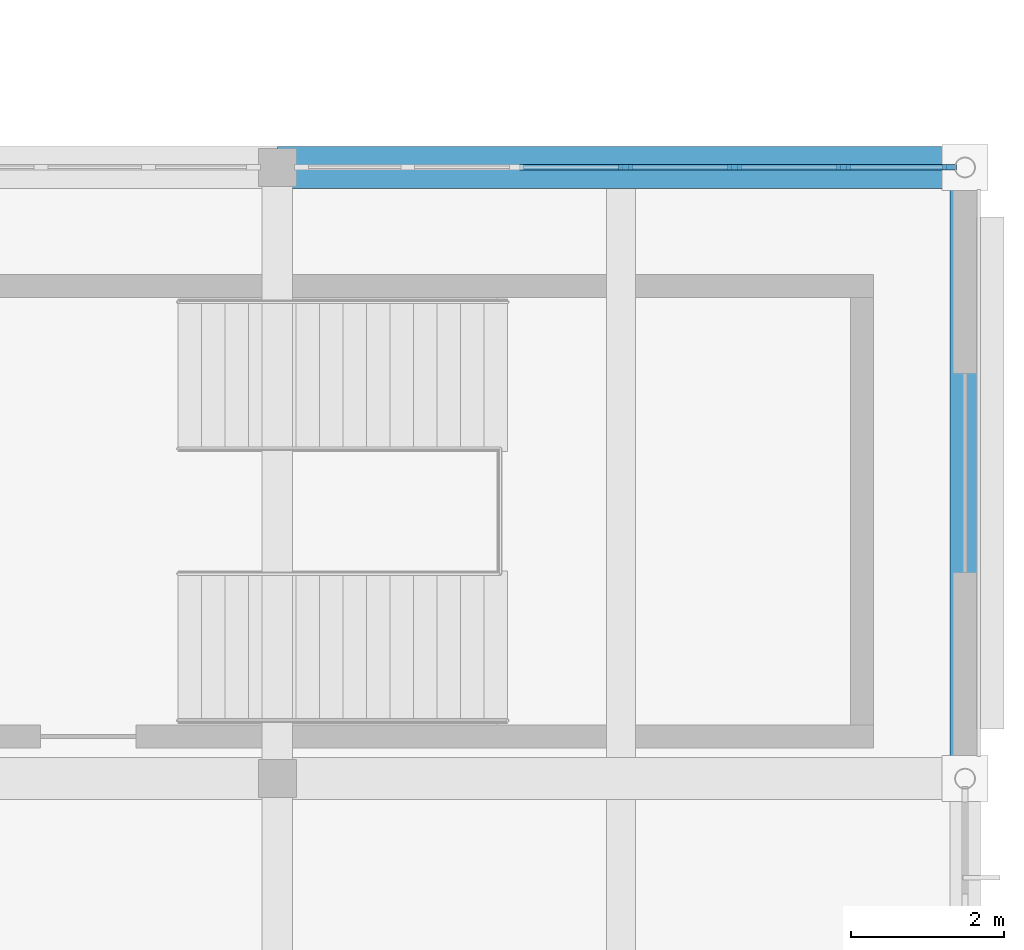
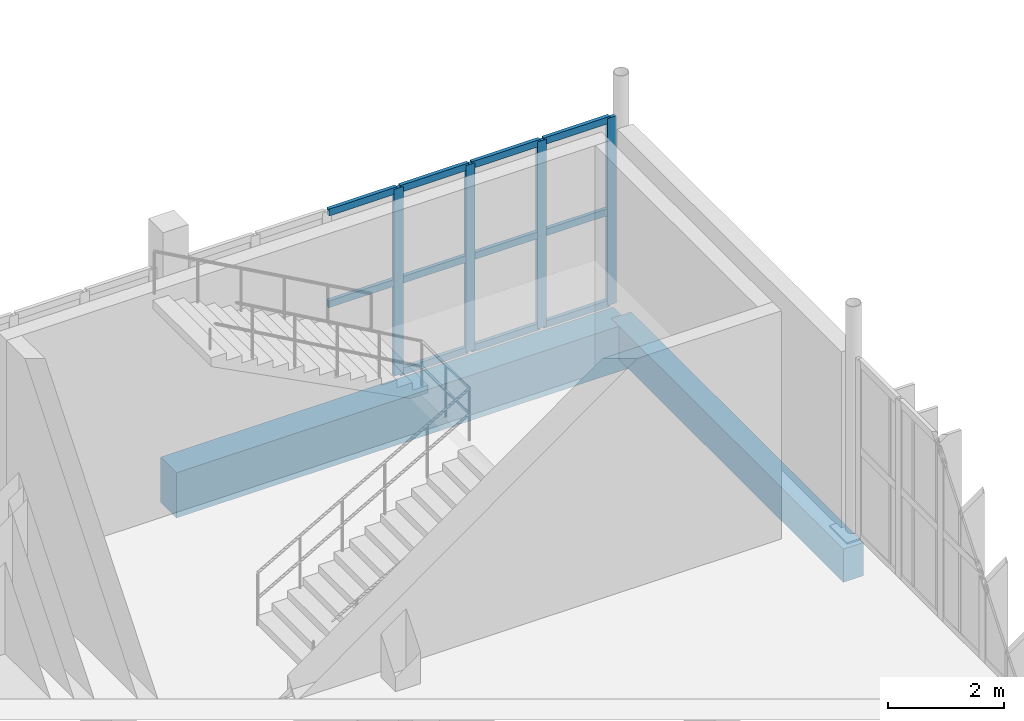
# One storey, part 32 of 72: 15 members, 2 beams, 1 element without a shape of its own.
"""IFC4 building model written with IfcOpenShell, lengths in metres."""

from ifc_helpers import new_model, si_unit, direction, frame, origin, origin_2d, place, context, subcontext, project, spatial, rectangle, extrude, material, material_profile, profile_set, type_object, element, aggregate, save


model = new_model("IFC4")

# Units and contexts
model_context = context("Model", 3, precision=1e-05, world=origin(), true_north=direction((0.0, 1.0)))
body_context = subcontext(model_context, "Body", "Model", "MODEL_VIEW")
ifc_project = project(units=[si_unit("LENGTHUNIT", "METRE"), si_unit("AREAUNIT", "SQUARE_METRE"), si_unit("VOLUMEUNIT", "CUBIC_METRE"), si_unit("PLANEANGLEUNIT", "RADIAN"), si_unit("MASSUNIT", "GRAM", prefix="KILO")], contexts=[model_context])

# Site, building, storey
site_placement = place(None, origin())
site = spatial("IfcSite", under=ifc_project, at=site_placement, CompositionType="ELEMENT")
building_placement = place(site_placement, origin())
building = spatial("IfcBuilding", under=site, at=building_placement, Name="Vourika Railside Aquatics Centre", CompositionType="ELEMENT")
storey_placement = place(building_placement, origin())
storey = spatial("IfcBuildingStorey", under=building, at=storey_placement, Name="L00", CompositionType="ELEMENT", Elevation=0.0)

# Beams
ifc_material_1 = material(Name="Concrete C35/45", Category="concrete")
ifc_material_profile_1 = material_profile(ifc_material_1, rectangle(XDim=0.39990234375, YDim=0.699951171875, at=origin_2d()), Name="RC 400x700")
ifc_profile_set_1 = profile_set([ifc_material_profile_1], Name="Concrete C35/45")
beam_type_1 = type_object("IfcBeamType", Name="BM-GIRD-400x700", PredefinedType="BEAM", material=ifc_profile_set_1)
beam_1_placement = place(storey_placement, frame((168.0, 84.0, -0.669921875), z_axis=(0.0, 1.0, 0.0), x_axis=(-1.0, 0.0, 0.0)))
element("IfcBeam", 1, at=beam_1_placement, inside=storey, type_object=beam_type_1, Name="Floor Girder GY-L00-349", PredefinedType="BEAM", context=body_context, shape_type="SweptSolid", body=[
    extrude(rectangle(XDim=0.39990234375, YDim=0.699951171875, at=origin_2d()), origin(), (0.0, 0.0, 1.0), 8.0),
])
ifc_material_2 = material(Name="Concrete C40/50", Category="concrete")
ifc_material_profile_2 = material_profile(ifc_material_2, rectangle(XDim=0.550048828125, YDim=0.949951171875, at=origin_2d()), Name="RC 550x950")
ifc_profile_set_2 = profile_set([ifc_material_profile_2], Name="Concrete C40/50")
beam_type_2 = type_object("IfcBeamType", Name="BM-GIRD-550x950", PredefinedType="BEAM", material=ifc_profile_set_2)
beam_2_placement = place(storey_placement, frame((159.0, 92.0, -0.794921875), z_axis=(1.0, 0.0, 0.0), x_axis=(0.0, 1.0, 0.0)))
element("IfcBeam", 2, at=beam_2_placement, inside=storey, type_object=beam_type_2, Name="Floor Beam GX-L00-142", PredefinedType="BEAM", context=body_context, shape_type="SweptSolid", body=[
    extrude(rectangle(XDim=0.550048828125, YDim=0.949951171875, at=origin_2d()), origin(), (0.0, 0.0, 1.0), 9.0),
])

# Curtain wall, members
ifc_material_3 = material(Name="Anodized thermally broken aluminium", Category="aluminium")
curtain_wall_type = type_object("IfcCurtainWallType", Name="CW-FOYS", PredefinedType="NOTDEFINED", material=ifc_material_3)
curtain_wall_placement = place(storey_placement, origin())
curtain_wall = element("IfcCurtainWall", 3, at=curtain_wall_placement, inside=storey, type_object=curtain_wall_type, Name="Foyer North Glazed Facade L00-3", PredefinedType="NOTDEFINED")
ifc_material_4 = material(Name="Anodized aluminium mullion", Category="aluminium")
ifc_material_profile_3 = material_profile(ifc_material_4, rectangle(XDim=0.072021484375, YDim=0.181884765625, at=origin_2d()), Name="ALU-M 72x182")
ifc_profile_set_3 = profile_set([ifc_material_profile_3], Name="Anodized aluminium mullion")
member_type_1 = type_object("IfcMemberType", Name="CWM-FOYS", PredefinedType="MULLION", material=ifc_profile_set_3)
member_1_placement = place(storey_placement, frame((167.797607421875, 92.0, 0.0), z_axis=(0.0, 0.0, 1.0), x_axis=(0.0, -1.0, 0.0)))
member_1 = element("IfcMember", 4, at=member_1_placement, type_object=member_type_1, Name="CW11 mullion 1", PredefinedType="MULLION", context=body_context, shape_type="SweptSolid", body=[
    extrude(rectangle(XDim=0.072021484375, YDim=0.181884765625, at=origin_2d()), origin(), (0.0, 0.0, 1.0), 3.929931640625),
])
member_2_placement = place(storey_placement, frame((166.407958984375, 92.0, 0.0), z_axis=(0.0, 0.0, 1.0), x_axis=(0.0, -1.0, 0.0)))
member_2 = element("IfcMember", 5, at=member_2_placement, type_object=member_type_1, Name="CW11 mullion 2", PredefinedType="MULLION", context=body_context, shape_type="SweptSolid", body=[
    extrude(rectangle(XDim=0.072021484375, YDim=0.181884765625, at=origin_2d()), origin(), (0.0, 0.0, 1.0), 3.929931640625),
])
member_3_placement = place(storey_placement, frame((164.982421875, 92.0, 0.0), z_axis=(0.0, 0.0, 1.0), x_axis=(0.0, -1.0, 0.0)))
member_3 = element("IfcMember", 6, at=member_3_placement, type_object=member_type_1, Name="CW11 mullion 3", PredefinedType="MULLION", context=body_context, shape_type="SweptSolid", body=[
    extrude(rectangle(XDim=0.072021484375, YDim=0.181884765625, at=origin_2d()), origin(), (0.0, 0.0, 1.0), 3.929931640625),
])
member_4_placement = place(storey_placement, frame((163.556640625, 92.0, 0.0), z_axis=(0.0, 0.0, 1.0), x_axis=(0.0, -1.0, 0.0)))
member_4 = element("IfcMember", 7, at=member_4_placement, type_object=member_type_1, Name="CW11 mullion 4", PredefinedType="MULLION", context=body_context, shape_type="SweptSolid", body=[
    extrude(rectangle(XDim=0.072021484375, YDim=0.181884765625, at=origin_2d()), origin(), (0.0, 0.0, 1.0), 3.929931640625),
])
ifc_material_5 = material(Name="Anodized aluminium transom", Category="aluminium")
ifc_material_profile_4 = material_profile(ifc_material_5, rectangle(XDim=0.072021484375, YDim=0.14404296875, at=origin_2d()), Name="ALU-T 72x144")
ifc_profile_set_4 = profile_set([ifc_material_profile_4], Name="Anodized aluminium transom")
member_type_2 = type_object("IfcMemberType", Name="CWT-FOYS", PredefinedType="USERDEFINED", material=ifc_profile_set_4)
member_5_placement = place(storey_placement, frame((167.761474609375, 92.0, 0.035888671875), z_axis=(-1.0, 0.0, 0.0), x_axis=(0.0, -1.0, 0.0)))
member_5 = element("IfcMember", 8, at=member_5_placement, type_object=member_type_2, Name="CW11 transom 1.1", ObjectType="TRANSOM", PredefinedType="USERDEFINED", context=body_context, shape_type="SweptSolid", body=[
    extrude(rectangle(XDim=0.072021484375, YDim=0.14404296875, at=origin_2d()), origin(), (0.0, 0.0, 1.0), 1.317626953125),
])
member_6_placement = place(storey_placement, frame((167.761474609375, 92.0, 1.965087890625), z_axis=(-1.0, 0.0, 0.0), x_axis=(0.0, -1.0, 0.0)))
member_6 = element("IfcMember", 9, at=member_6_placement, type_object=member_type_2, Name="CW11 transom 1.2", ObjectType="TRANSOM", PredefinedType="USERDEFINED", context=body_context, shape_type="SweptSolid", body=[
    extrude(rectangle(XDim=0.072021484375, YDim=0.14404296875, at=origin_2d()), origin(), (0.0, 0.0, 1.0), 1.317626953125),
])
member_7_placement = place(storey_placement, frame((167.761474609375, 92.0, 3.89404296875), z_axis=(-1.0, 0.0, 0.0), x_axis=(0.0, -1.0, 0.0)))
member_7 = element("IfcMember", 10, at=member_7_placement, type_object=member_type_2, Name="CW11 transom 1.3", ObjectType="TRANSOM", PredefinedType="USERDEFINED", context=body_context, shape_type="SweptSolid", body=[
    extrude(rectangle(XDim=0.072021484375, YDim=0.14404296875, at=origin_2d()), origin(), (0.0, 0.0, 1.0), 1.317626953125),
])
member_8_placement = place(storey_placement, frame((166.371826171875, 92.0, 0.035888671875), z_axis=(-1.0, 0.0, 0.0), x_axis=(0.0, -1.0, 0.0)))
member_8 = element("IfcMember", 11, at=member_8_placement, type_object=member_type_2, Name="CW11 transom 2.1", ObjectType="TRANSOM", PredefinedType="USERDEFINED", context=body_context, shape_type="SweptSolid", body=[
    extrude(rectangle(XDim=0.072021484375, YDim=0.14404296875, at=origin_2d()), origin(), (0.0, 0.0, 1.0), 1.353515625),
])
member_9_placement = place(storey_placement, frame((166.371826171875, 92.0, 1.965087890625), z_axis=(-1.0, 0.0, 0.0), x_axis=(0.0, -1.0, 0.0)))
member_9 = element("IfcMember", 12, at=member_9_placement, type_object=member_type_2, Name="CW11 transom 2.2", ObjectType="TRANSOM", PredefinedType="USERDEFINED", context=body_context, shape_type="SweptSolid", body=[
    extrude(rectangle(XDim=0.072021484375, YDim=0.14404296875, at=origin_2d()), origin(), (0.0, 0.0, 1.0), 1.353515625),
])
member_10_placement = place(storey_placement, frame((166.371826171875, 92.0, 3.89404296875), z_axis=(-1.0, 0.0, 0.0), x_axis=(0.0, -1.0, 0.0)))
member_10 = element("IfcMember", 13, at=member_10_placement, type_object=member_type_2, Name="CW11 transom 2.3", ObjectType="TRANSOM", PredefinedType="USERDEFINED", context=body_context, shape_type="SweptSolid", body=[
    extrude(rectangle(XDim=0.072021484375, YDim=0.14404296875, at=origin_2d()), origin(), (0.0, 0.0, 1.0), 1.353515625),
])
member_11_placement = place(storey_placement, frame((164.9462890625, 92.0, 0.035888671875), z_axis=(-1.0, 0.0, 0.0), x_axis=(0.0, -1.0, 0.0)))
member_11 = element("IfcMember", 14, at=member_11_placement, type_object=member_type_2, Name="CW11 transom 3.1", ObjectType="TRANSOM", PredefinedType="USERDEFINED", context=body_context, shape_type="SweptSolid", body=[
    extrude(rectangle(XDim=0.072021484375, YDim=0.14404296875, at=origin_2d()), origin(), (0.0, 0.0, 1.0), 1.353515625),
])
member_12_placement = place(storey_placement, frame((164.9462890625, 92.0, 1.965087890625), z_axis=(-1.0, 0.0, 0.0), x_axis=(0.0, -1.0, 0.0)))
member_12 = element("IfcMember", 15, at=member_12_placement, type_object=member_type_2, Name="CW11 transom 3.2", ObjectType="TRANSOM", PredefinedType="USERDEFINED", context=body_context, shape_type="SweptSolid", body=[
    extrude(rectangle(XDim=0.072021484375, YDim=0.14404296875, at=origin_2d()), origin(), (0.0, 0.0, 1.0), 1.353515625),
])
member_13_placement = place(storey_placement, frame((164.9462890625, 92.0, 3.89404296875), z_axis=(-1.0, 0.0, 0.0), x_axis=(0.0, -1.0, 0.0)))
member_13 = element("IfcMember", 16, at=member_13_placement, type_object=member_type_2, Name="CW11 transom 3.3", ObjectType="TRANSOM", PredefinedType="USERDEFINED", context=body_context, shape_type="SweptSolid", body=[
    extrude(rectangle(XDim=0.072021484375, YDim=0.14404296875, at=origin_2d()), origin(), (0.0, 0.0, 1.0), 1.353515625),
])
member_14_placement = place(storey_placement, frame((163.520751953125, 92.0, 1.965087890625), z_axis=(-1.0, 0.0, 0.0), x_axis=(0.0, -1.0, 0.0)))
member_14 = element("IfcMember", 17, at=member_14_placement, type_object=member_type_2, Name="CW11 transom 4.2", ObjectType="TRANSOM", PredefinedType="USERDEFINED", context=body_context, shape_type="SweptSolid", body=[
    extrude(rectangle(XDim=0.072021484375, YDim=0.14404296875, at=origin_2d()), origin(), (0.0, 0.0, 1.0), 1.353515625),
])
member_15_placement = place(storey_placement, frame((163.520751953125, 92.0, 3.89404296875), z_axis=(-1.0, 0.0, 0.0), x_axis=(0.0, -1.0, 0.0)))
member_15 = element("IfcMember", 18, at=member_15_placement, type_object=member_type_2, Name="CW11 transom 4.3", ObjectType="TRANSOM", PredefinedType="USERDEFINED", context=body_context, shape_type="SweptSolid", body=[
    extrude(rectangle(XDim=0.072021484375, YDim=0.14404296875, at=origin_2d()), origin(), (0.0, 0.0, 1.0), 1.353515625),
])
aggregate(curtain_wall, [member_1, member_2, member_3, member_4, member_5, member_6, member_7, member_8, member_9, member_10, member_11, member_12, member_13, member_14, member_15])

save(model, "model.ifc")
